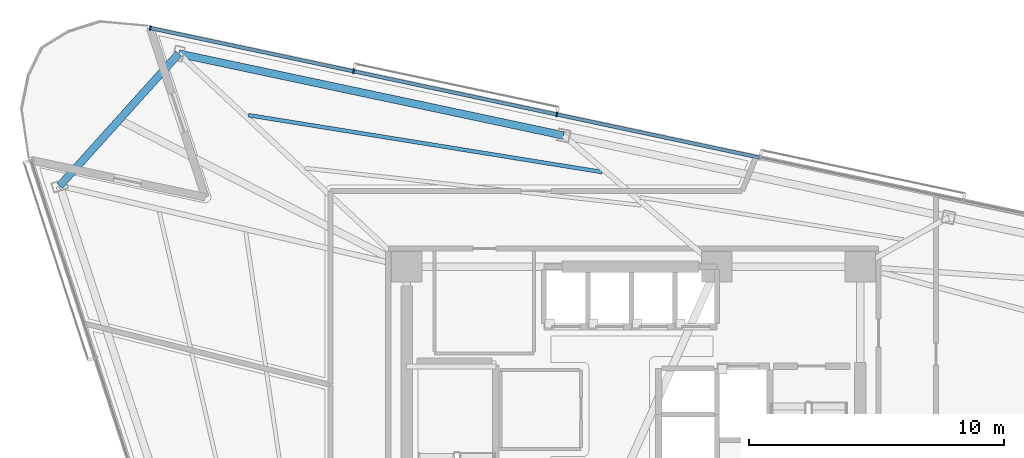
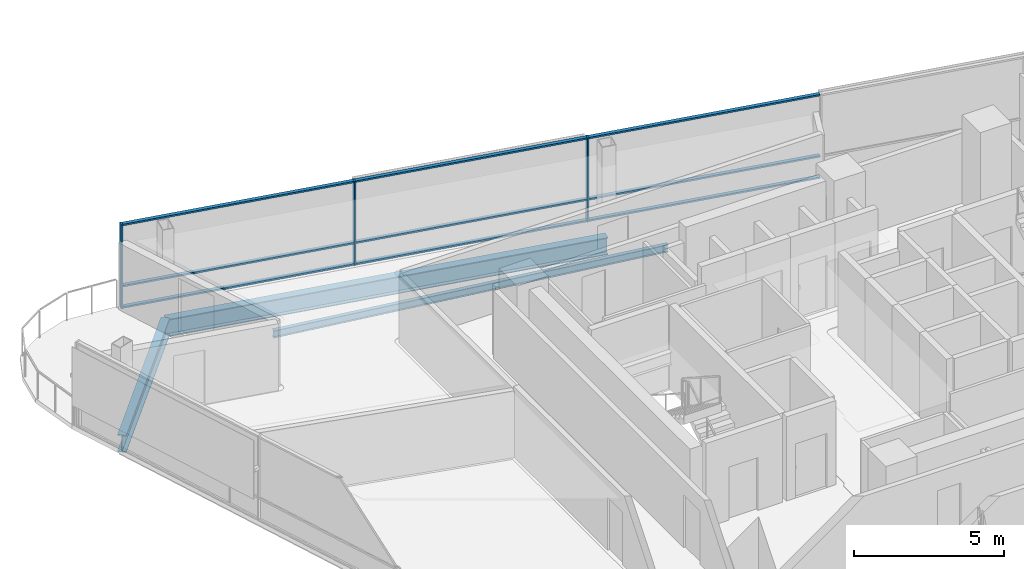
# One storey, part 7 of 16: 12 members, 3 beams, 1 element without a shape of its own.
"""IFC4 building model written with IfcOpenShell, lengths in metres."""

from ifc_helpers import new_model, si_unit, direction, frame, origin, origin_2d, place, context, subcontext, project, spatial, rectangle, i_section, extrude, material, layer, layer_set, material_profile, profile_set, type_object, element, aggregate, save


model = new_model("IFC4")

# Units and contexts
model_context = context("Model", 3, precision=1e-05, world=origin(), true_north=direction((0.0, 1.0)))
body_context = subcontext(model_context, "Body", "Model", "MODEL_VIEW")
ifc_project = project(units=[si_unit("LENGTHUNIT", "METRE"), si_unit("AREAUNIT", "SQUARE_METRE"), si_unit("VOLUMEUNIT", "CUBIC_METRE"), si_unit("PLANEANGLEUNIT", "RADIAN"), si_unit("MASSUNIT", "GRAM", prefix="KILO")], contexts=[model_context])

# Site, building, storey
site_placement = place(None, origin())
site = spatial("IfcSite", under=ifc_project, at=site_placement, CompositionType="ELEMENT")
building_placement = place(site_placement, origin())
building = spatial("IfcBuilding", under=site, at=building_placement, Name="Tharavind Bronze Gate", CompositionType="ELEMENT")
storey_placement = place(building_placement, frame((0.0, 0.0, 211.25)))
storey = spatial("IfcBuildingStorey", under=building, at=storey_placement, Name="L54", CompositionType="ELEMENT", Elevation=211.25)

# Curtain wall, members
ifc_material_1 = material(Name="Anodised Bronze Aluminium", Category="aluminium")
ifc_layer = layer(ifc_material_1, 0.219970703125)
ifc_layer_set = layer_set([ifc_layer], Name="Anodised Bronze Aluminium")
curtain_wall_type = type_object("IfcCurtainWallType", Name="UNITISED CURTAIN WALL MID OFFICE", PredefinedType="USERDEFINED", material=ifc_layer_set)
curtain_wall_placement = place(storey_placement, origin())
curtain_wall = element("IfcCurtainWall", 1, at=curtain_wall_placement, inside=storey, type_object=curtain_wall_type, Name="L54 unitised curtain wall mid office CW-L54-S3", ObjectType="UNITISED CURTAIN WALL", PredefinedType="USERDEFINED")
member_type_1 = type_object("IfcMemberType", Name="CURTAIN WALL BRONZE MULLION 65X180", PredefinedType="MULLION", material=ifc_material_1)
member_1_placement = place(storey_placement, frame((-3.004638671875, 13.576416015625, 0.0), z_axis=(0.0, 0.0, 1.0), x_axis=(-0.978147600734, 0.207911690818, 0.0)))
member_1 = element("IfcMember", 2, at=member_1_placement, type_object=member_type_1, Name="CW-L54-S3 mullion 5", PredefinedType="MULLION", context=body_context, shape_type="SweptSolid", body=[
    extrude(rectangle(XDim=0.06494140625, YDim=0.179931640625, at=origin_2d()), origin(), (0.0, 0.0, 1.0), 3.419921875),
])
member_2_placement = place(storey_placement, frame((-10.982177734375, 15.27197265625, 0.0), z_axis=(0.0, 0.0, 1.0), x_axis=(-0.978147600734, 0.207911690818, 0.0)))
member_2 = element("IfcMember", 3, at=member_2_placement, type_object=member_type_1, Name="CW-L54-S3 mullion 6", PredefinedType="MULLION", context=body_context, shape_type="SweptSolid", body=[
    extrude(rectangle(XDim=0.06494140625, YDim=0.179931640625, at=origin_2d()), origin(), (0.0, 0.0, 1.0), 3.419921875),
])
member_3_placement = place(storey_placement, frame((-18.959716796875, 16.967529296875, 0.0), z_axis=(0.0, 0.0, 1.0), x_axis=(-0.978147600734, 0.207911690818, 0.0)))
member_3 = element("IfcMember", 4, at=member_3_placement, type_object=member_type_1, Name="CW-L54-S3 mullion 7", PredefinedType="MULLION", context=body_context, shape_type="SweptSolid", body=[
    extrude(rectangle(XDim=0.06494140625, YDim=0.179931640625, at=origin_2d()), origin(), (0.0, 0.0, 1.0), 3.419921875),
])
member_type_2 = type_object("IfcMemberType", Name="CURTAIN WALL BRONZE TRANSOM 65X140", PredefinedType="USERDEFINED", material=ifc_material_1)
member_4_placement = place(storey_placement, frame((0.98388671875, 12.728515625, 0.0), z_axis=(0.0, 0.0, 1.0), x_axis=(-0.978147600734, 0.207911690818, 0.0)))
member_4 = element("IfcMember", 5, at=member_4_placement, type_object=member_type_2, Name="CW-L54-S3 transom TB4", ObjectType="TRANSOM", PredefinedType="USERDEFINED", context=body_context, shape_type="SweptSolid", body=[
    extrude(rectangle(XDim=8.102783203125, YDim=0.139892578125, at=origin_2d()), origin(), (0.0, 0.0, 1.0), 0.06494140625),
])
member_5_placement = place(storey_placement, frame((0.98388671875, 12.728515625, 0.867431640625), z_axis=(0.0, 0.0, 1.0), x_axis=(-0.978147600734, 0.207911690818, 0.0)))
member_5 = element("IfcMember", 6, at=member_5_placement, type_object=member_type_2, Name="CW-L54-S3 transom TS4", ObjectType="TRANSOM", PredefinedType="USERDEFINED", context=body_context, shape_type="SweptSolid", body=[
    extrude(rectangle(XDim=8.102783203125, YDim=0.139892578125, at=origin_2d()), origin(), (0.0, 0.0, 1.0), 0.06494140625),
])
member_6_placement = place(storey_placement, frame((0.98388671875, 12.728515625, 3.35498046875), z_axis=(0.0, 0.0, 1.0), x_axis=(-0.978147600734, 0.207911690818, 0.0)))
member_6 = element("IfcMember", 7, at=member_6_placement, type_object=member_type_2, Name="CW-L54-S3 transom TT4", ObjectType="TRANSOM", PredefinedType="USERDEFINED", context=body_context, shape_type="SweptSolid", body=[
    extrude(rectangle(XDim=8.102783203125, YDim=0.139892578125, at=origin_2d()), origin(), (0.0, 0.0, 1.0), 0.06494140625),
])
member_7_placement = place(storey_placement, frame((-6.993408203125, 14.424072265625, 0.0), z_axis=(0.0, 0.0, 1.0), x_axis=(-0.978147600734, 0.207911690818, 0.0)))
member_7 = element("IfcMember", 8, at=member_7_placement, type_object=member_type_2, Name="CW-L54-S3 transom TB5", ObjectType="TRANSOM", PredefinedType="USERDEFINED", context=body_context, shape_type="SweptSolid", body=[
    extrude(rectangle(XDim=8.102783203125, YDim=0.139892578125, at=origin_2d()), origin(), (0.0, 0.0, 1.0), 0.06494140625),
])
member_8_placement = place(storey_placement, frame((-6.993408203125, 14.424072265625, 0.867431640625), z_axis=(0.0, 0.0, 1.0), x_axis=(-0.978147600734, 0.207911690818, 0.0)))
member_8 = element("IfcMember", 9, at=member_8_placement, type_object=member_type_2, Name="CW-L54-S3 transom TS5", ObjectType="TRANSOM", PredefinedType="USERDEFINED", context=body_context, shape_type="SweptSolid", body=[
    extrude(rectangle(XDim=8.102783203125, YDim=0.139892578125, at=origin_2d()), origin(), (0.0, 0.0, 1.0), 0.06494140625),
])
member_9_placement = place(storey_placement, frame((-6.993408203125, 14.424072265625, 3.35498046875), z_axis=(0.0, 0.0, 1.0), x_axis=(-0.978147600734, 0.207911690818, 0.0)))
member_9 = element("IfcMember", 10, at=member_9_placement, type_object=member_type_2, Name="CW-L54-S3 transom TT5", ObjectType="TRANSOM", PredefinedType="USERDEFINED", context=body_context, shape_type="SweptSolid", body=[
    extrude(rectangle(XDim=8.102783203125, YDim=0.139892578125, at=origin_2d()), origin(), (0.0, 0.0, 1.0), 0.06494140625),
])
member_10_placement = place(storey_placement, frame((-14.970947265625, 16.119873046875, 0.0), z_axis=(0.0, 0.0, 1.0), x_axis=(-0.978147600734, 0.207911690818, 0.0)))
member_10 = element("IfcMember", 11, at=member_10_placement, type_object=member_type_2, Name="CW-L54-S3 transom TB6", ObjectType="TRANSOM", PredefinedType="USERDEFINED", context=body_context, shape_type="SweptSolid", body=[
    extrude(rectangle(XDim=8.102783203125, YDim=0.139892578125, at=origin_2d()), origin(), (0.0, 0.0, 1.0), 0.06494140625),
])
member_11_placement = place(storey_placement, frame((-14.970947265625, 16.119873046875, 0.867431640625), z_axis=(0.0, 0.0, 1.0), x_axis=(-0.978147600734, 0.207911690818, 0.0)))
member_11 = element("IfcMember", 12, at=member_11_placement, type_object=member_type_2, Name="CW-L54-S3 transom TS6", ObjectType="TRANSOM", PredefinedType="USERDEFINED", context=body_context, shape_type="SweptSolid", body=[
    extrude(rectangle(XDim=8.102783203125, YDim=0.139892578125, at=origin_2d()), origin(), (0.0, 0.0, 1.0), 0.06494140625),
])
member_12_placement = place(storey_placement, frame((-14.970947265625, 16.119873046875, 3.35498046875), z_axis=(0.0, 0.0, 1.0), x_axis=(-0.978147600734, 0.207911690818, 0.0)))
member_12 = element("IfcMember", 13, at=member_12_placement, type_object=member_type_2, Name="CW-L54-S3 transom TT6", ObjectType="TRANSOM", PredefinedType="USERDEFINED", context=body_context, shape_type="SweptSolid", body=[
    extrude(rectangle(XDim=8.102783203125, YDim=0.139892578125, at=origin_2d()), origin(), (0.0, 0.0, 1.0), 0.06494140625),
])
aggregate(curtain_wall, [member_1, member_2, member_3, member_4, member_5, member_6, member_7, member_8, member_9, member_10, member_11, member_12])

# Beams
ifc_material_2 = material(Name="Steel S355", Category="steel")
ifc_material_profile_1 = material_profile(ifc_material_2, i_section(OverallWidth=0.300048828125, OverallDepth=0.699951171875, WebThickness=0.01708984375, FlangeThickness=0.031982421875, at=origin_2d()), Name="HE700B")
ifc_profile_set_1 = profile_set([ifc_material_profile_1], Name="Steel S355")
beam_type_1 = type_object("IfcBeamType", Name="RING GIRDER HE700B", PredefinedType="USERDEFINED", material=ifc_profile_set_1)
beam_1_placement = place(storey_placement, frame((-2.737060546875, 12.752685546875, -0.530029296875), z_axis=(-0.978148967388, 0.207905261111, 0.0), x_axis=(-0.207905261111, -0.978148967388, 0.0)))
element("IfcBeam", 14, at=beam_1_placement, inside=storey, type_object=beam_type_1, Name="L54 ring girder he700b BM-L54-PRG11", ObjectType="GIRDER", PredefinedType="USERDEFINED", context=body_context, shape_type="SweptSolid", body=[
    extrude(i_section(OverallWidth=0.300048828125, OverallDepth=0.699951171875, WebThickness=0.01708984375, FlangeThickness=0.031982421875, at=origin_2d()), origin(), (0.0, 0.0, 1.0), 15.4453125),
])
beam_2_placement = place(storey_placement, frame((-17.844970703125, 15.9638671875, -0.530029296875), z_axis=(-0.669130909152, -0.743144552841, 0.0), x_axis=(0.743144552841, -0.669130909152, 0.0)))
element("IfcBeam", 15, at=beam_2_placement, inside=storey, type_object=beam_type_1, Name="L54 ring girder he700b BM-L54-PRG12", ObjectType="GIRDER", PredefinedType="USERDEFINED", context=body_context, shape_type="SweptSolid", body=[
    extrude(i_section(OverallWidth=0.300048828125, OverallDepth=0.699951171875, WebThickness=0.01708984375, FlangeThickness=0.031982421875, at=origin_2d()), origin(), (0.0, 0.0, 1.0), 6.979736328125),
])
ifc_material_profile_2 = material_profile(ifc_material_2, i_section(OverallWidth=0.14990234375, OverallDepth=0.300048828125, WebThickness=0.007080078125, FlangeThickness=0.0107421875, at=origin_2d()), Name="IPE300")
ifc_profile_set_2 = profile_set([ifc_material_profile_2], Name="Steel S355")
beam_type_2 = type_object("IfcBeamType", Name="SECONDARY FLOOR JOIST IPE300", PredefinedType="JOIST", material=ifc_profile_set_2)
beam_3_placement = place(storey_placement, frame((-1.224853515625, 11.316650390625, -0.330078125), z_axis=(-0.987305145712, 0.158834974899, 0.0), x_axis=(-0.158834974899, -0.987305145712, 0.0)))
element("IfcBeam", 16, at=beam_3_placement, inside=storey, type_object=beam_type_2, Name="L54 secondary floor joist ipe300 BM-L54-JSTB11", PredefinedType="JOIST", context=body_context, shape_type="SweptSolid", body=[
    extrude(i_section(OverallWidth=0.14990234375, OverallDepth=0.300048828125, WebThickness=0.007080078125, FlangeThickness=0.0107421875, at=origin_2d()), origin(), (0.0, 0.0, 1.0), 14.0595703125),
])

save(model, "model.ifc")
